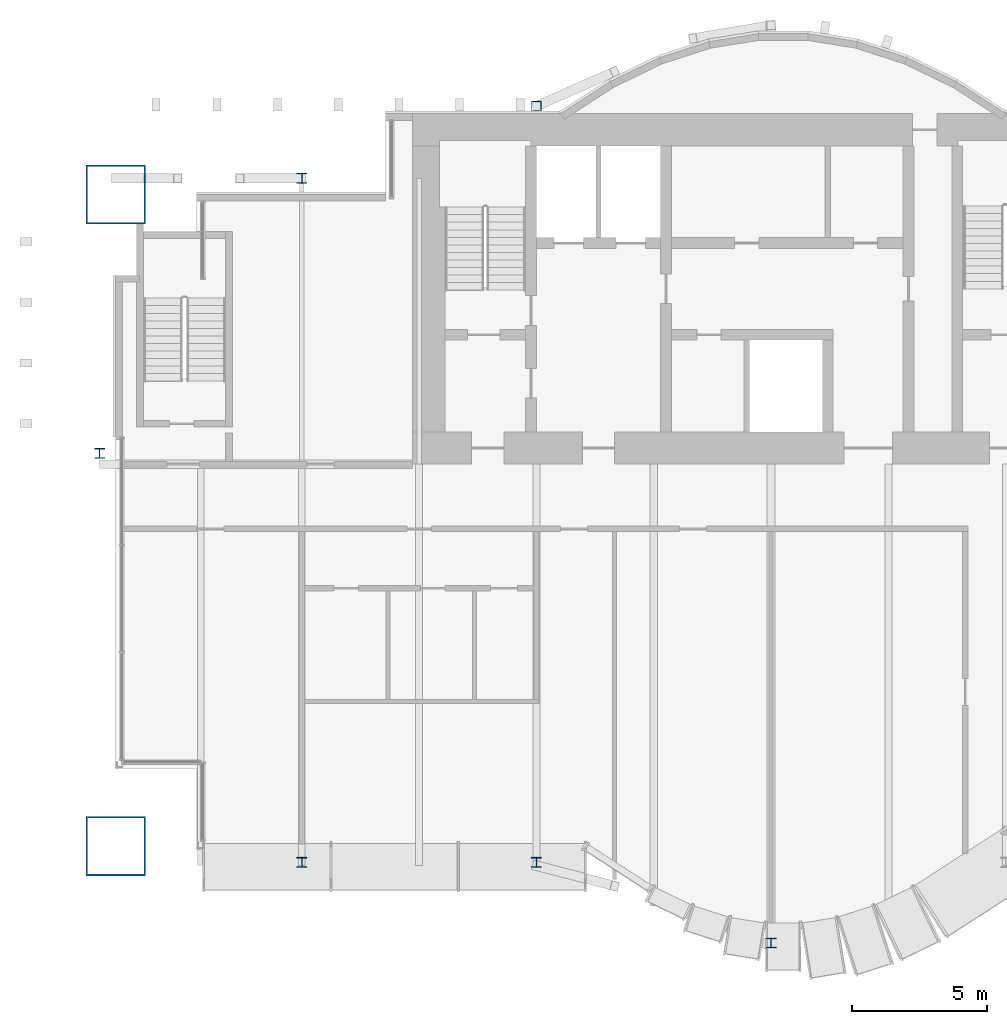
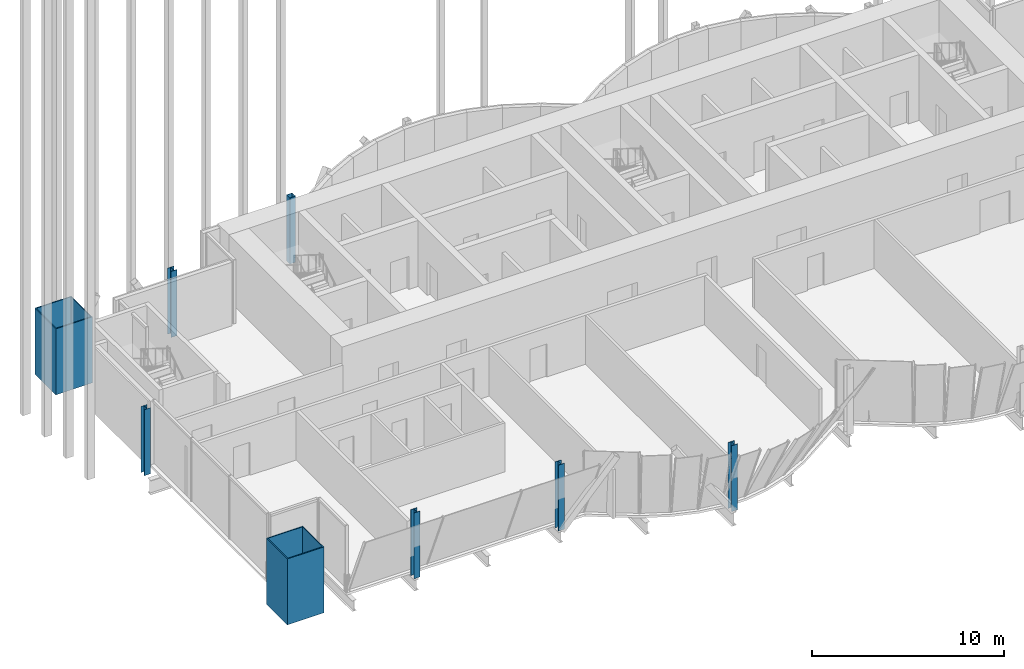
# One storey, part 1 of 28: 8 columns.
"""IFC4 building model written with IfcOpenShell, lengths in metres."""

from ifc_helpers import new_model, si_unit, direction, frame, origin, origin_2d, place, context, subcontext, project, spatial, hollow_rectangle, i_section, extrude, material, material_profile, profile_set, type_object, element, save


model = new_model("IFC4")

# Units and contexts
model_context = context("Model", 3, precision=1e-05, world=origin(), true_north=direction((0.0, 1.0)))
body_context = subcontext(model_context, "Body", "Model", "MODEL_VIEW")
ifc_project = project(units=[si_unit("LENGTHUNIT", "METRE"), si_unit("AREAUNIT", "SQUARE_METRE"), si_unit("VOLUMEUNIT", "CUBIC_METRE"), si_unit("PLANEANGLEUNIT", "RADIAN"), si_unit("MASSUNIT", "GRAM", prefix="KILO")], contexts=[model_context])

# Site, building, storey
site_placement = place(None, origin())
site = spatial("IfcSite", under=ifc_project, at=site_placement, CompositionType="ELEMENT")
building_placement = place(site_placement, origin())
building = spatial("IfcBuilding", under=site, at=building_placement, Name="Bicima Exchange Tower", CompositionType="ELEMENT")
storey_placement = place(building_placement, frame((0.0, 0.0, 241.39990234375)))
storey = spatial("IfcBuildingStorey", under=building, at=storey_placement, Name="L54", CompositionType="ELEMENT", Elevation=241.39990234375)

# Columns
ifc_material_1 = material(Name="Steel ASTM A572 Gr 50", Category="steel")
ifc_material_profile_1 = material_profile(ifc_material_1, hollow_rectangle(XDim=2.199951171875, YDim=2.199951171875, WallThickness=0.06005859375, at=origin_2d()))
ifc_profile_set_1 = profile_set([ifc_material_profile_1], Name="Steel ASTM A572 Gr 50")
column_type_1 = type_object("IfcColumnType", Name="Mega column BOX 2200x2200x60", PredefinedType="COLUMN", material=ifc_profile_set_1)
for number, where, z_axis, x_axis, name in (
    (1, (-33.0, -27.166015625, 0.0), (0.0, 0.0, 1.0), (1.0, 0.0, 0.0), "Mega column mega-33.0f"),
    (2, (-33.0, -3.0, 0.0), (0.0, 0.0, 1.0), (1.0, 0.0, 0.0), "Mega column mega-33.0r"),
):
    element("IfcColumn", number, at=place(storey_placement, frame(where, z_axis=z_axis, x_axis=x_axis)), inside=storey, type_object=column_type_1, Name=name, PredefinedType="COLUMN", context=body_context, shape_type="SweptSolid", body=[
        extrude(hollow_rectangle(XDim=2.199951171875, YDim=2.199951171875, WallThickness=0.06005859375, at=origin_2d()), origin(), (0.0, 0.0, 1.0), 4.2001953125),
    ])
ifc_material_2 = material(Name="Steel ASTM A992 Gr 50", Category="steel")
ifc_material_profile_2 = material_profile(ifc_material_2, i_section(OverallWidth=0.370849609375, OverallDepth=0.36328125, WebThickness=0.013427734375, FlangeThickness=0.021728515625, at=origin_2d()))
ifc_profile_set_2 = profile_set([ifc_material_profile_2], Name="Steel ASTM A992 Gr 50")
column_type_2 = type_object("IfcColumnType", Name="Perimeter column W14x109", PredefinedType="COLUMN", material=ifc_profile_set_2)
for number, where, z_axis, x_axis, name in (
    (3, (-26.10009765625, -27.76611328125, 0.0), (0.0, 0.0, 1.0), (1.0, 0.0, 0.0), "Perimeter column grav-26.1f"),
    (4, (-26.10009765625, -2.39990234375, 0.0), (0.0, 0.0, 1.0), (1.0, 0.0, 0.0), "Perimeter column grav-26.1r"),
    (5, (-17.39990234375, -27.76611328125, 0.0), (0.0, 0.0, 1.0), (1.0, 0.0, 0.0), "Perimeter column grav-17.4f"),
    (6, (-8.699951171875, -30.757080078125, 0.0), (0.0, 0.0, 1.0), (1.0, 0.0, 0.0), "Perimeter column grav-8.7f"),
    (7, (-33.60009765625, -12.60009765625, 0.0), (0.0, 0.0, 1.0), (1.0, 0.0, 0.0), "End column end-33.6e"),
):
    element("IfcColumn", number, at=place(storey_placement, frame(where, z_axis=z_axis, x_axis=x_axis)), inside=storey, type_object=column_type_2, Name=name, PredefinedType="COLUMN", context=body_context, shape_type="SweptSolid", body=[
        extrude(i_section(OverallWidth=0.370849609375, OverallDepth=0.36328125, WebThickness=0.013427734375, FlangeThickness=0.021728515625, at=origin_2d()), origin(), (0.0, 0.0, 1.0), 4.2001953125),
    ])
ifc_material_profile_3 = material_profile(ifc_material_1, hollow_rectangle(XDim=0.355712890625, YDim=0.355712890625, WallThickness=0.01171875, at=origin_2d()))
ifc_profile_set_3 = profile_set([ifc_material_profile_3], Name="Steel ASTM A572 Gr 50")
column_type_3 = type_object("IfcColumnType", Name="Rear pilaster HSS14x14x1/2", PredefinedType="COLUMN", material=ifc_profile_set_3)
column_placement = place(storey_placement, frame((-17.39990234375, 0.278076171875, 0.0), z_axis=(0.0, 0.0, 1.0), x_axis=(1.0, 0.0, 0.0)))
element("IfcColumn", 8, at=column_placement, inside=storey, type_object=column_type_3, Name="Rear pilaster rexo-17.4r", PredefinedType="COLUMN", context=body_context, shape_type="SweptSolid", body=[
    extrude(hollow_rectangle(XDim=0.355712890625, YDim=0.355712890625, WallThickness=0.01171875, at=origin_2d()), origin(), (0.0, 0.0, 1.0), 4.2001953125),
])

save(model, "model.ifc")
